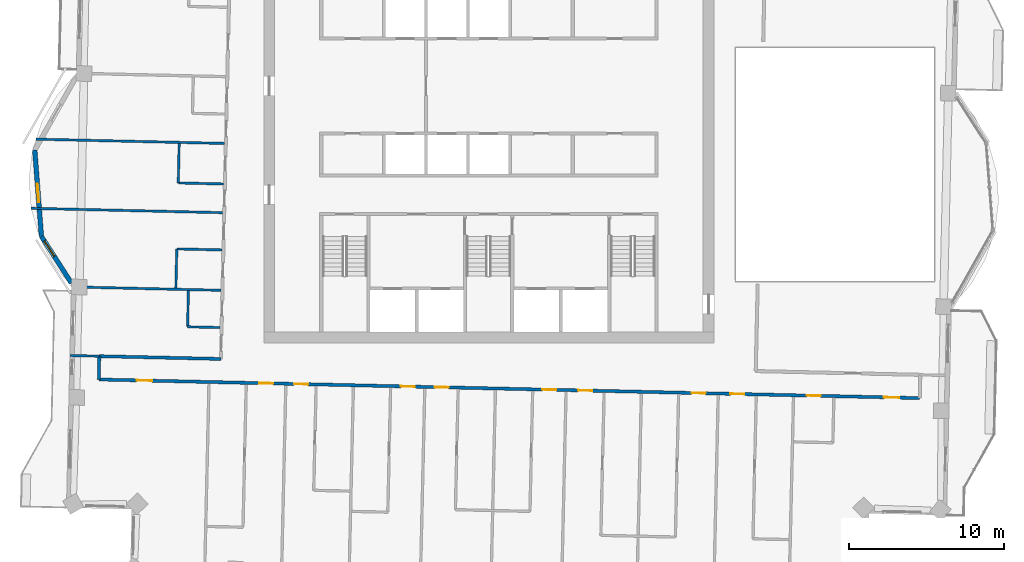
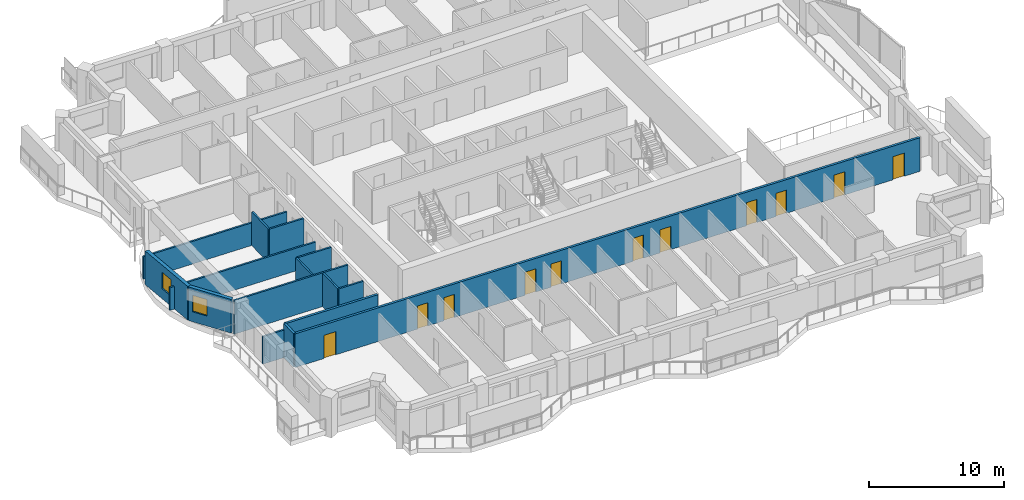
# One storey, part 7 of 17: 15 walls, 11 doors, 2 windows, 13 openings.
"""IFC4 building model written with IfcOpenShell, lengths in metres."""

from ifc_helpers import new_model, si_unit, direction, frame, frame_2d, origin, place, context, subcontext, project, spatial, rectangle, extrude, material, layer, layer_set, type_object, element, fill, save


model = new_model("IFC4")

# Units and contexts
model_context = context("Model", 3, precision=1e-05, world=origin(), true_north=direction((0.0, 1.0)))
body_context = subcontext(model_context, "Body", "Model", "MODEL_VIEW")
ifc_project = project(units=[si_unit("LENGTHUNIT", "METRE"), si_unit("AREAUNIT", "SQUARE_METRE"), si_unit("VOLUMEUNIT", "CUBIC_METRE"), si_unit("PLANEANGLEUNIT", "RADIAN"), si_unit("MASSUNIT", "GRAM", prefix="KILO")], contexts=[model_context])

# Site, building, storey
site_placement = place(None, origin())
site = spatial("IfcSite", under=ifc_project, at=site_placement, CompositionType="ELEMENT")
building_placement = place(site_placement, origin())
building = spatial("IfcBuilding", under=site, at=building_placement, Name="Mangrove Gate Tower", CompositionType="ELEMENT")
storey_placement = place(building_placement, frame((0.0, 0.0, 271.699951171875)))
storey = spatial("IfcBuildingStorey", under=building, at=storey_placement, Name="L69", CompositionType="ELEMENT", Elevation=271.699951171875)

# Wall
ifc_material_1 = material(Name="Gypsum board on steel stud, EI 60", Category="steel")
ifc_layer_1 = layer(ifc_material_1, 0.199951171875)
ifc_layer_set_1 = layer_set([ifc_layer_1], Name="Corridor wall EI 60")
wall_type_1 = type_object("IfcWallType", Name="Corridor wall EI 60", PredefinedType="PARTITIONING", material=ifc_layer_set_1)
wall_1_placement = place(storey_placement, frame((-25.1240234375, -13.846923828125, 0.0), z_axis=(0.0, 0.0, 1.0), x_axis=(0.022617910375, 0.999744182344, 0.0)))
element("IfcWall", 1, at=wall_1_placement, inside=storey, type_object=wall_type_1, Name="WALL-L69-026", PredefinedType="PARTITIONING", context=body_context, shape_type="SweptSolid", body=[
    extrude(rectangle(XDim=1.50048828125, YDim=0.199951171875, at=frame_2d((0.750244140625, 0.0))), origin(), (0.0, 0.0, 1.0), 3.050048828125),
])

# Wall, openings, doors
wall_2_placement = place(storey_placement, frame((-25.1201171875, -13.846923828125, 0.0), z_axis=(0.0, 0.0, 1.0), x_axis=(0.999742852445, -0.022676617578, 0.0)))
wall_2 = element("IfcWall", 2, at=wall_2_placement, inside=storey, type_object=wall_type_1, Name="WALL-L69-027", PredefinedType="PARTITIONING", context=body_context, shape_type="SweptSolid", body=[
    extrude(rectangle(XDim=52.872802734375, YDim=0.199951171875, at=frame_2d((26.4365234375, 0.0))), origin(), (0.0, 0.0, 1.0), 3.050048828125),
])
opening_1_placement = place(wall_2_placement, frame((2.429931640625, 0.0, 0.0)))
opening_1 = element("IfcOpeningElement", 3, at=opening_1_placement, cuts=wall_2, Name="Opening AD", PredefinedType="OPENING", context=body_context, shape_type="SweptSolid", body=[
    extrude(rectangle(XDim=1.0, YDim=2.10009765625, at=frame_2d((0.5, 1.050048828125))), frame((0.0, 0.10986328125, 0.0), z_axis=(0.0, -1.0, 0.0), x_axis=(1.0, 0.0, 0.0)), (0.0, 0.0, 1.0), 0.219970703125),
])
opening_2_placement = place(wall_2_placement, frame((10.324951171875, 0.0, 0.0)))
opening_2 = element("IfcOpeningElement", 4, at=opening_2_placement, cuts=wall_2, Name="Opening BD", PredefinedType="OPENING", context=body_context, shape_type="SweptSolid", body=[
    extrude(rectangle(XDim=0.89990234375, YDim=2.10009765625, at=frame_2d((0.449951171875, 1.050048828125))), frame((0.0, 0.10986328125, 0.0), z_axis=(0.0, -1.0, 0.0), x_axis=(1.0, 0.0, 0.0)), (0.0, 0.0, 1.0), 0.219970703125),
])
opening_3_placement = place(wall_2_placement, frame((12.574951171875, 0.0, 0.0)))
opening_3 = element("IfcOpeningElement", 5, at=opening_3_placement, cuts=wall_2, Name="Opening BD", PredefinedType="OPENING", context=body_context, shape_type="SweptSolid", body=[
    extrude(rectangle(XDim=0.89990234375, YDim=2.10009765625, at=frame_2d((0.449951171875, 1.050048828125))), frame((0.0, 0.10986328125, 0.0), z_axis=(0.0, -1.0, 0.0), x_axis=(1.0, 0.0, 0.0)), (0.0, 0.0, 1.0), 0.219970703125),
])
opening_4_placement = place(wall_2_placement, frame((19.449951171875, 0.0, 0.0)))
opening_4 = element("IfcOpeningElement", 6, at=opening_4_placement, cuts=wall_2, Name="Opening BD", PredefinedType="OPENING", context=body_context, shape_type="SweptSolid", body=[
    extrude(rectangle(XDim=0.89990234375, YDim=2.10009765625, at=frame_2d((0.449951171875, 1.050048828125))), frame((0.0, 0.10986328125, 0.0), z_axis=(0.0, -1.0, 0.0), x_axis=(1.0, 0.0, 0.0)), (0.0, 0.0, 1.0), 0.219970703125),
])
opening_5_placement = place(wall_2_placement, frame((21.625, 0.0, 0.0)))
opening_5 = element("IfcOpeningElement", 7, at=opening_5_placement, cuts=wall_2, Name="Opening BD", PredefinedType="OPENING", context=body_context, shape_type="SweptSolid", body=[
    extrude(rectangle(XDim=0.89990234375, YDim=2.10009765625, at=frame_2d((0.449951171875, 1.050048828125))), frame((0.0, 0.10986328125, 0.0), z_axis=(0.0, -1.0, 0.0), x_axis=(1.0, 0.0, 0.0)), (0.0, 0.0, 1.0), 0.219970703125),
])
opening_6_placement = place(wall_2_placement, frame((28.574951171875, 0.0, 0.0)))
opening_6 = element("IfcOpeningElement", 8, at=opening_6_placement, cuts=wall_2, Name="Opening BD", PredefinedType="OPENING", context=body_context, shape_type="SweptSolid", body=[
    extrude(rectangle(XDim=0.89990234375, YDim=2.10009765625, at=frame_2d((0.449951171875, 1.050048828125))), frame((0.0, 0.10986328125, 0.0), z_axis=(0.0, -1.0, 0.0), x_axis=(1.0, 0.0, 0.0)), (0.0, 0.0, 1.0), 0.219970703125),
])
opening_7_placement = place(wall_2_placement, frame((30.875, 0.0, 0.0)))
opening_7 = element("IfcOpeningElement", 9, at=opening_7_placement, cuts=wall_2, Name="Opening BD", PredefinedType="OPENING", context=body_context, shape_type="SweptSolid", body=[
    extrude(rectangle(XDim=0.89990234375, YDim=2.10009765625, at=frame_2d((0.449951171875, 1.050048828125))), frame((0.0, 0.10986328125, 0.0), z_axis=(0.0, -1.0, 0.0), x_axis=(1.0, 0.0, 0.0)), (0.0, 0.0, 1.0), 0.219970703125),
])
opening_8_placement = place(wall_2_placement, frame((38.175048828125, 0.0, 0.0)))
opening_8 = element("IfcOpeningElement", 10, at=opening_8_placement, cuts=wall_2, Name="Opening BD", PredefinedType="OPENING", context=body_context, shape_type="SweptSolid", body=[
    extrude(rectangle(XDim=0.89990234375, YDim=2.10009765625, at=frame_2d((0.449951171875, 1.050048828125))), frame((0.0, 0.10986328125, 0.0), z_axis=(0.0, -1.0, 0.0), x_axis=(1.0, 0.0, 0.0)), (0.0, 0.0, 1.0), 0.219970703125),
])
opening_9_placement = place(wall_2_placement, frame((40.675048828125, 0.0, 0.0)))
opening_9 = element("IfcOpeningElement", 11, at=opening_9_placement, cuts=wall_2, Name="Opening BD", PredefinedType="OPENING", context=body_context, shape_type="SweptSolid", body=[
    extrude(rectangle(XDim=0.89990234375, YDim=2.10009765625, at=frame_2d((0.449951171875, 1.050048828125))), frame((0.0, 0.10986328125, 0.0), z_axis=(0.0, -1.0, 0.0), x_axis=(1.0, 0.0, 0.0)), (0.0, 0.0, 1.0), 0.219970703125),
])
opening_10_placement = place(wall_2_placement, frame((50.56103515625, 0.0, 0.0)))
opening_10 = element("IfcOpeningElement", 12, at=opening_10_placement, cuts=wall_2, Name="Opening AD", PredefinedType="OPENING", context=body_context, shape_type="SweptSolid", body=[
    extrude(rectangle(XDim=1.0, YDim=2.10009765625, at=frame_2d((0.5, 1.050048828125))), frame((0.0, 0.10986328125, 0.0), z_axis=(0.0, -1.0, 0.0), x_axis=(1.0, 0.0, 0.0)), (0.0, 0.0, 1.0), 0.219970703125),
])
opening_11_placement = place(wall_2_placement, frame((45.60009765625, 0.0, 0.0)))
opening_11 = element("IfcOpeningElement", 13, at=opening_11_placement, cuts=wall_2, Name="Opening SD", PredefinedType="OPENING", context=body_context, shape_type="SweptSolid", body=[
    extrude(rectangle(XDim=0.89990234375, YDim=2.10009765625, at=frame_2d((0.449951171875, 1.050048828125))), frame((0.0, 0.10986328125, 0.0), z_axis=(0.0, -1.0, 0.0), x_axis=(1.0, 0.0, 0.0)), (0.0, 0.0, 1.0), 0.219970703125),
])
ifc_material_2 = material(Name="Timber door leaf", Category="wood")
door_type_1 = type_object("IfcDoorType", Name="Amenity door 1000", OperationType="SINGLE_SWING_LEFT", PredefinedType="DOOR", material=ifc_material_2)
door_1_placement = place(opening_1_placement, origin())
door_1 = element("IfcDoor", 14, at=door_1_placement, inside=storey, type_object=door_type_1, Name="DOOR-L69-KIT-c1a", OperationType="SINGLE_SWING_LEFT", OverallHeight=2.10009765625, OverallWidth=1.0, PredefinedType="DOOR", context=body_context, shape_type="SweptSolid", body=[
    extrude(rectangle(XDim=1.0, YDim=2.10009765625, at=frame_2d((0.5, 1.050048828125))), frame((0.0, 0.02490234375, 0.0), z_axis=(0.0, -1.0, 0.0), x_axis=(1.0, 0.0, 0.0)), (0.0, 0.0, 1.0), 0.050048828125),
])
fill(opening_1, door_1)
door_2_placement = place(opening_10_placement, origin())
door_2 = element("IfcDoor", 15, at=door_2_placement, inside=storey, type_object=door_type_1, Name="DOOR-L69-KIT-c3a", OperationType="SINGLE_SWING_RIGHT", OverallHeight=2.10009765625, OverallWidth=1.0, PredefinedType="DOOR", context=body_context, shape_type="SweptSolid", body=[
    extrude(rectangle(XDim=1.0, YDim=2.10009765625, at=frame_2d((0.5, 1.050048828125))), frame((0.0, 0.02490234375, 0.0), z_axis=(0.0, -1.0, 0.0), x_axis=(1.0, 0.0, 0.0)), (0.0, 0.0, 1.0), 0.050048828125),
])
fill(opening_10, door_2)
ifc_material_3 = material(Name="Timber door leaf", Category="wood")
door_type_2 = type_object("IfcDoorType", Name="Bedroom door 900", OperationType="SINGLE_SWING_LEFT", PredefinedType="DOOR", material=ifc_material_3)
door_3_placement = place(opening_2_placement, origin())
door_3 = element("IfcDoor", 16, at=door_3_placement, inside=storey, type_object=door_type_2, Name="DOOR-L69-BED-c101", OperationType="SINGLE_SWING_LEFT", OverallHeight=2.10009765625, OverallWidth=0.89990234375, PredefinedType="DOOR", context=body_context, shape_type="SweptSolid", body=[
    extrude(rectangle(XDim=0.89990234375, YDim=2.10009765625, at=frame_2d((0.449951171875, 1.050048828125))), frame((0.0, 0.02490234375, 0.0), z_axis=(0.0, -1.0, 0.0), x_axis=(1.0, 0.0, 0.0)), (0.0, 0.0, 1.0), 0.050048828125),
])
fill(opening_2, door_3)
door_4_placement = place(opening_3_placement, origin())
door_4 = element("IfcDoor", 17, at=door_4_placement, inside=storey, type_object=door_type_2, Name="DOOR-L69-BED-c102", OperationType="SINGLE_SWING_RIGHT", OverallHeight=2.10009765625, OverallWidth=0.89990234375, PredefinedType="DOOR", context=body_context, shape_type="SweptSolid", body=[
    extrude(rectangle(XDim=0.89990234375, YDim=2.10009765625, at=frame_2d((0.449951171875, 1.050048828125))), frame((0.0, 0.02490234375, 0.0), z_axis=(0.0, -1.0, 0.0), x_axis=(1.0, 0.0, 0.0)), (0.0, 0.0, 1.0), 0.050048828125),
])
fill(opening_3, door_4)
door_5_placement = place(opening_4_placement, origin())
door_5 = element("IfcDoor", 18, at=door_5_placement, inside=storey, type_object=door_type_2, Name="DOOR-L69-BED-c103", OperationType="SINGLE_SWING_LEFT", OverallHeight=2.10009765625, OverallWidth=0.89990234375, PredefinedType="DOOR", context=body_context, shape_type="SweptSolid", body=[
    extrude(rectangle(XDim=0.89990234375, YDim=2.10009765625, at=frame_2d((0.449951171875, 1.050048828125))), frame((0.0, 0.02490234375, 0.0), z_axis=(0.0, -1.0, 0.0), x_axis=(1.0, 0.0, 0.0)), (0.0, 0.0, 1.0), 0.050048828125),
])
fill(opening_4, door_5)
door_6_placement = place(opening_5_placement, origin())
door_6 = element("IfcDoor", 19, at=door_6_placement, inside=storey, type_object=door_type_2, Name="DOOR-L69-BED-c104", OperationType="SINGLE_SWING_RIGHT", OverallHeight=2.10009765625, OverallWidth=0.89990234375, PredefinedType="DOOR", context=body_context, shape_type="SweptSolid", body=[
    extrude(rectangle(XDim=0.89990234375, YDim=2.10009765625, at=frame_2d((0.449951171875, 1.050048828125))), frame((0.0, 0.02490234375, 0.0), z_axis=(0.0, -1.0, 0.0), x_axis=(1.0, 0.0, 0.0)), (0.0, 0.0, 1.0), 0.050048828125),
])
fill(opening_5, door_6)
door_7_placement = place(opening_6_placement, origin())
door_7 = element("IfcDoor", 20, at=door_7_placement, inside=storey, type_object=door_type_2, Name="DOOR-L69-BED-c205", OperationType="SINGLE_SWING_LEFT", OverallHeight=2.10009765625, OverallWidth=0.89990234375, PredefinedType="DOOR", context=body_context, shape_type="SweptSolid", body=[
    extrude(rectangle(XDim=0.89990234375, YDim=2.10009765625, at=frame_2d((0.449951171875, 1.050048828125))), frame((0.0, 0.02490234375, 0.0), z_axis=(0.0, -1.0, 0.0), x_axis=(1.0, 0.0, 0.0)), (0.0, 0.0, 1.0), 0.050048828125),
])
fill(opening_6, door_7)
door_8_placement = place(opening_7_placement, origin())
door_8 = element("IfcDoor", 21, at=door_8_placement, inside=storey, type_object=door_type_2, Name="DOOR-L69-BED-c206", OperationType="SINGLE_SWING_RIGHT", OverallHeight=2.10009765625, OverallWidth=0.89990234375, PredefinedType="DOOR", context=body_context, shape_type="SweptSolid", body=[
    extrude(rectangle(XDim=0.89990234375, YDim=2.10009765625, at=frame_2d((0.449951171875, 1.050048828125))), frame((0.0, 0.02490234375, 0.0), z_axis=(0.0, -1.0, 0.0), x_axis=(1.0, 0.0, 0.0)), (0.0, 0.0, 1.0), 0.050048828125),
])
fill(opening_7, door_8)
door_9_placement = place(opening_8_placement, origin())
door_9 = element("IfcDoor", 22, at=door_9_placement, inside=storey, type_object=door_type_2, Name="DOOR-L69-BED-c207", OperationType="SINGLE_SWING_LEFT", OverallHeight=2.10009765625, OverallWidth=0.89990234375, PredefinedType="DOOR", context=body_context, shape_type="SweptSolid", body=[
    extrude(rectangle(XDim=0.89990234375, YDim=2.10009765625, at=frame_2d((0.449951171875, 1.050048828125))), frame((0.0, 0.02490234375, 0.0), z_axis=(0.0, -1.0, 0.0), x_axis=(1.0, 0.0, 0.0)), (0.0, 0.0, 1.0), 0.050048828125),
])
fill(opening_8, door_9)
door_10_placement = place(opening_9_placement, origin())
door_10 = element("IfcDoor", 23, at=door_10_placement, inside=storey, type_object=door_type_2, Name="DOOR-L69-BED-c308", OperationType="SINGLE_SWING_RIGHT", OverallHeight=2.10009765625, OverallWidth=0.89990234375, PredefinedType="DOOR", context=body_context, shape_type="SweptSolid", body=[
    extrude(rectangle(XDim=0.89990234375, YDim=2.10009765625, at=frame_2d((0.449951171875, 1.050048828125))), frame((0.0, 0.02490234375, 0.0), z_axis=(0.0, -1.0, 0.0), x_axis=(1.0, 0.0, 0.0)), (0.0, 0.0, 1.0), 0.050048828125),
])
fill(opening_9, door_10)
ifc_material_4 = material(Name="Timber door leaf", Category="wood")
door_type_3 = type_object("IfcDoorType", Name="Service room door 900", OperationType="SINGLE_SWING_LEFT", PredefinedType="DOOR", material=ifc_material_4)
door_11_placement = place(opening_11_placement, origin())
door_11 = element("IfcDoor", 24, at=door_11_placement, inside=storey, type_object=door_type_3, Name="DOOR-L69-AWC-c3a", OperationType="SINGLE_SWING_LEFT", OverallHeight=2.10009765625, OverallWidth=0.89990234375, PredefinedType="DOOR", context=body_context, shape_type="SweptSolid", body=[
    extrude(rectangle(XDim=0.89990234375, YDim=2.10009765625, at=frame_2d((0.449951171875, 1.050048828125))), frame((0.0, 0.02490234375, 0.0), z_axis=(0.0, -1.0, 0.0), x_axis=(1.0, 0.0, 0.0)), (0.0, 0.0, 1.0), 0.050048828125),
])
fill(opening_11, door_11)

# Wall
wall_3_placement = place(storey_placement, frame((-25.0859375, -12.346923828125, 0.0), z_axis=(0.0, 0.0, 1.0), x_axis=(0.999741690667, -0.022727779103, 0.0)))
element("IfcWall", 25, at=wall_3_placement, inside=storey, type_object=wall_type_1, Name="WALL-L69-030", PredefinedType="PARTITIONING", context=body_context, shape_type="SweptSolid", body=[
    extrude(rectangle(XDim=7.830810546875, YDim=0.199951171875, at=frame_2d((3.91552734375, 0.0))), origin(), (0.0, 0.0, 1.0), 3.050048828125),
])

# Wall, opening, window
ifc_material_5 = material(Name="Limestone", Category="masonry")
ifc_layer_2 = layer(ifc_material_5, 0.0400390625, Name="Limestone cladding")
ifc_material_6 = material(Name="Ventilated air gap")
ifc_layer_3 = layer(ifc_material_6, 0.0400390625, Name="Ventilated cavity")
ifc_material_7 = material(Name="Mineral wool insulation")
ifc_layer_4 = layer(ifc_material_7, 0.06005859375, Name="Insulation")
ifc_material_8 = material(Name="Breather membrane")
ifc_layer_5 = layer(ifc_material_8, 0.001953125, Name="Breather membrane")
ifc_material_9 = material(Name="Concrete C20/25 blockwork", Category="masonry")
ifc_layer_6 = layer(ifc_material_9, 0.14990234375, Name="Blockwork backing wall")
ifc_material_10 = material(Name="Gypsum plaster")
ifc_layer_7 = layer(ifc_material_10, 0.008056640625, Name="Internal plaster")
ifc_layer_set_2 = layer_set([ifc_layer_2, ifc_layer_3, ifc_layer_4, ifc_layer_5, ifc_layer_6, ifc_layer_7], Name="External wall 300 limestone cladding")
wall_type_2 = type_object("IfcWallType", Name="External wall 300 limestone cladding", PredefinedType="SOLIDWALL", material=ifc_layer_set_2)
wall_4_placement = place(storey_placement, frame((-29.2470703125, 0.924072265625, 0.0), z_axis=(0.0, 0.0, 1.0), x_axis=(0.076961115238, -0.997034095075, 0.0)))
wall_4 = element("IfcWall", 26, at=wall_4_placement, inside=storey, type_object=wall_type_2, Name="WALL-L69-W9f2", PredefinedType="SOLIDWALL", context=body_context, shape_type="SweptSolid", body=[
    extrude(rectangle(XDim=5.57373046875, YDim=0.300048828125, at=frame_2d((2.786865234375, 0.0))), origin(), (0.0, 0.0, 1.0), 3.050048828125),
])
opening_12_placement = place(wall_4_placement, frame((2.172119140625, 0.0, 0.89990234375)))
opening_12 = element("IfcOpeningElement", 27, at=opening_12_placement, cuts=wall_4, Name="Opening W1", PredefinedType="OPENING", context=body_context, shape_type="SweptSolid", body=[
    extrude(rectangle(XDim=1.199951171875, YDim=1.5, at=frame_2d((0.60009765625, 0.75))), frame((0.0, 0.159912109375, 0.0), z_axis=(0.0, -1.0, 0.0), x_axis=(1.0, 0.0, 0.0)), (0.0, 0.0, 1.0), 0.320068359375),
])
ifc_material_11 = material(Name="Aluminium frame with double-glazed low-e glass", Category="aluminium")
window_type = type_object("IfcWindowType", Name="Side lite 1200x1500", PartitioningType="SINGLE_PANEL", PredefinedType="WINDOW", material=ifc_material_11)
window_1_placement = place(opening_12_placement, origin())
window_1 = element("IfcWindow", 28, at=window_1_placement, inside=storey, type_object=window_type, Name="WIN-L69-W9f2", OverallHeight=1.5, OverallWidth=1.199951171875, PartitioningType="SINGLE_PANEL", PredefinedType="WINDOW", context=body_context, shape_type="SweptSolid", body=[
    extrude(rectangle(XDim=1.199951171875, YDim=1.5, at=frame_2d((0.60009765625, 0.75))), frame((0.0, 0.030029296875, 0.0), z_axis=(0.0, -1.0, 0.0), x_axis=(1.0, 0.0, 0.0)), (0.0, 0.0, 1.0), 0.06005859375),
])
fill(opening_12, window_1)

wall_5_placement = place(storey_placement, frame((-28.818115234375, -4.633056640625, 0.0), z_axis=(0.0, 0.0, 1.0), x_axis=(0.540633100578, -0.841258492117, 0.0)))
wall_5 = element("IfcWall", 29, at=wall_5_placement, inside=storey, type_object=wall_type_2, Name="WALL-L69-W9f3", PredefinedType="SOLIDWALL", context=body_context, shape_type="SweptSolid", body=[
    extrude(rectangle(XDim=3.568359375, YDim=0.300048828125, at=frame_2d((1.7841796875, 0.0))), origin(), (0.0, 0.0, 1.0), 3.050048828125),
])
opening_13_placement = place(wall_5_placement, frame((0.337890625, 0.0, 0.89990234375)))
opening_13 = element("IfcOpeningElement", 30, at=opening_13_placement, cuts=wall_5, Name="Opening W1", PredefinedType="OPENING", context=body_context, shape_type="SweptSolid", body=[
    extrude(rectangle(XDim=1.199951171875, YDim=1.5, at=frame_2d((0.60009765625, 0.75))), frame((0.0, 0.159912109375, 0.0), z_axis=(0.0, -1.0, 0.0), x_axis=(1.0, 0.0, 0.0)), (0.0, 0.0, 1.0), 0.320068359375),
])
window_2_placement = place(opening_13_placement, origin())
window_2 = element("IfcWindow", 31, at=window_2_placement, inside=storey, type_object=window_type, Name="WIN-L69-W9f3", OverallHeight=1.5, OverallWidth=1.199951171875, PartitioningType="SINGLE_PANEL", PredefinedType="WINDOW", context=body_context, shape_type="SweptSolid", body=[
    extrude(rectangle(XDim=1.199951171875, YDim=1.5, at=frame_2d((0.60009765625, 0.75))), frame((0.0, 0.030029296875, 0.0), z_axis=(0.0, -1.0, 0.0), x_axis=(1.0, 0.0, 0.0)), (0.0, 0.0, 1.0), 0.06005859375),
])
fill(opening_13, window_2)

# Walls
ifc_material_12 = material(Name="Gypsum board on steel stud, EI 60", Category="steel")
ifc_layer_8 = layer(ifc_material_12, 0.14990234375)
ifc_layer_set_3 = layer_set([ifc_layer_8], Name="Party wall 150 EI 60")
wall_type_3 = type_object("IfcWallType", Name="Party wall 150 EI 60", PredefinedType="PARTITIONING", material=ifc_layer_set_3)
wall_6_placement = place(storey_placement, frame((-26.985107421875, -12.303955078125, 0.0), z_axis=(0.0, 0.0, 1.0), x_axis=(0.999744152544, -0.022619227516, 0.0)))
element("IfcWall", 32, at=wall_6_placement, inside=storey, type_object=wall_type_3, Name="WALL-L69-029", PredefinedType="PARTITIONING", context=body_context, shape_type="SweptSolid", body=[
    extrude(rectangle(XDim=1.899658203125, YDim=0.14990234375, at=frame_2d((0.94970703125, 0.0))), origin(), (0.0, 0.0, 1.0), 2.5),
])
wall_7_placement = place(storey_placement, frame((-19.409912109375, -10.4560546875, 0.0), z_axis=(0.0, 0.0, 1.0), x_axis=(0.999750703499, -0.022327804475, 0.0)))
element("IfcWall", 33, at=wall_7_placement, inside=storey, type_object=wall_type_3, Name="WALL-L69-035", PredefinedType="PARTITIONING", context=body_context, shape_type="SweptSolid", body=[
    extrude(rectangle(XDim=2.099365234375, YDim=0.14990234375, at=frame_2d((1.0498046875, 0.0))), origin(), (0.0, 0.0, 1.0), 3.050048828125),
])
wall_8_placement = place(storey_placement, frame((-19.405029296875, -10.450927734375, 0.0), z_axis=(0.0, 0.0, 1.0), x_axis=(0.022781023197, 0.999740478815, 0.0)))
element("IfcWall", 34, at=wall_8_placement, inside=storey, type_object=wall_type_3, Name="WALL-L69-036", PredefinedType="PARTITIONING", context=body_context, shape_type="SweptSolid", body=[
    extrude(rectangle(XDim=2.325439453125, YDim=0.14990234375, at=frame_2d((1.16259765625, 0.0))), origin(), (0.0, 0.0, 1.0), 3.050048828125),
])
wall_9_placement = place(storey_placement, frame((-26.885009765625, -7.885009765625, 0.0), z_axis=(0.0, 0.0, 1.0), x_axis=(0.999741468995, -0.022737527832, 0.0)))
element("IfcWall", 35, at=wall_9_placement, inside=storey, type_object=wall_type_3, Name="WALL-L69-037", PredefinedType="PARTITIONING", context=body_context, shape_type="SweptSolid", body=[
    extrude(rectangle(XDim=9.63134765625, YDim=0.14990234375, at=frame_2d((4.815673828125, 0.0))), origin(), (0.0, 0.0, 1.0), 3.050048828125),
])
wall_10_placement = place(storey_placement, frame((-20.158935546875, -7.9580078125, 0.0), z_axis=(0.0, 0.0, 1.0), x_axis=(0.022919108675, 0.999737322729, 0.0)))
element("IfcWall", 36, at=wall_10_placement, inside=storey, type_object=wall_type_3, Name="WALL-L69-038", PredefinedType="PARTITIONING", context=body_context, shape_type="SweptSolid", body=[
    extrude(rectangle(XDim=2.524658203125, YDim=0.14990234375, at=frame_2d((1.26220703125, 0.0))), origin(), (0.0, 0.0, 1.0), 3.050048828125),
])
wall_11_placement = place(storey_placement, frame((-20.096923828125, -5.43896484375, 0.0), z_axis=(0.0, 0.0, 1.0), x_axis=(0.999741748633, -0.022725229174, 0.0)))
element("IfcWall", 37, at=wall_11_placement, inside=storey, type_object=wall_type_3, Name="WALL-L69-039", PredefinedType="PARTITIONING", context=body_context, shape_type="SweptSolid", body=[
    extrude(rectangle(XDim=2.900634765625, YDim=0.14990234375, at=frame_2d((1.4501953125, 0.0))), origin(), (0.0, 0.0, 1.0), 3.050048828125),
])
wall_12_placement = place(storey_placement, frame((-29.48291015625, -2.824951171875, 0.0), z_axis=(0.0, 0.0, 1.0), x_axis=(0.999742611035, -0.022687258129, 0.0)))
element("IfcWall", 38, at=wall_12_placement, inside=storey, type_object=wall_type_3, Name="WALL-L69-040", PredefinedType="PARTITIONING", context=body_context, shape_type="SweptSolid", body=[
    extrude(rectangle(XDim=12.343017578125, YDim=0.14990234375, at=frame_2d((6.17138671875, 0.0))), origin(), (0.0, 0.0, 1.0), 2.050048828125),
])
wall_13_placement = place(storey_placement, frame((-20.0, -1.18994140625, 0.0), z_axis=(0.0, 0.0, 1.0), x_axis=(0.999739657619, -0.022817032779, 0.0)))
element("IfcWall", 39, at=wall_13_placement, inside=storey, type_object=wall_type_3, Name="WALL-L69-041", PredefinedType="PARTITIONING", context=body_context, shape_type="SweptSolid", body=[
    extrude(rectangle(XDim=2.899658203125, YDim=0.14990234375, at=frame_2d((1.44970703125, 0.0))), origin(), (0.0, 0.0, 1.0), 3.050048828125),
])
wall_14_placement = place(storey_placement, frame((-20.0048828125, -1.18505859375, 0.0), z_axis=(0.0, 0.0, 1.0), x_axis=(0.022521599255, 0.999746356616, 0.0)))
element("IfcWall", 40, at=wall_14_placement, inside=storey, type_object=wall_type_3, Name="WALL-L69-042", PredefinedType="PARTITIONING", context=body_context, shape_type="SweptSolid", body=[
    extrude(rectangle(XDim=2.52587890625, YDim=0.14990234375, at=frame_2d((1.262939453125, 0.0))), origin(), (0.0, 0.0, 1.0), 3.050048828125),
])
wall_15_placement = place(storey_placement, frame((-29.172119140625, 1.62890625, 0.0), z_axis=(0.0, 0.0, 1.0), x_axis=(0.999743298181, -0.02265695791, 0.0)))
element("IfcWall", 41, at=wall_15_placement, inside=storey, type_object=wall_type_3, Name="WALL-L69-043", PredefinedType="PARTITIONING", context=body_context, shape_type="SweptSolid", body=[
    extrude(rectangle(XDim=12.13330078125, YDim=0.14990234375, at=frame_2d((6.066650390625, 0.0))), origin(), (0.0, 0.0, 1.0), 2.050048828125),
])

save(model, "model.ifc")
